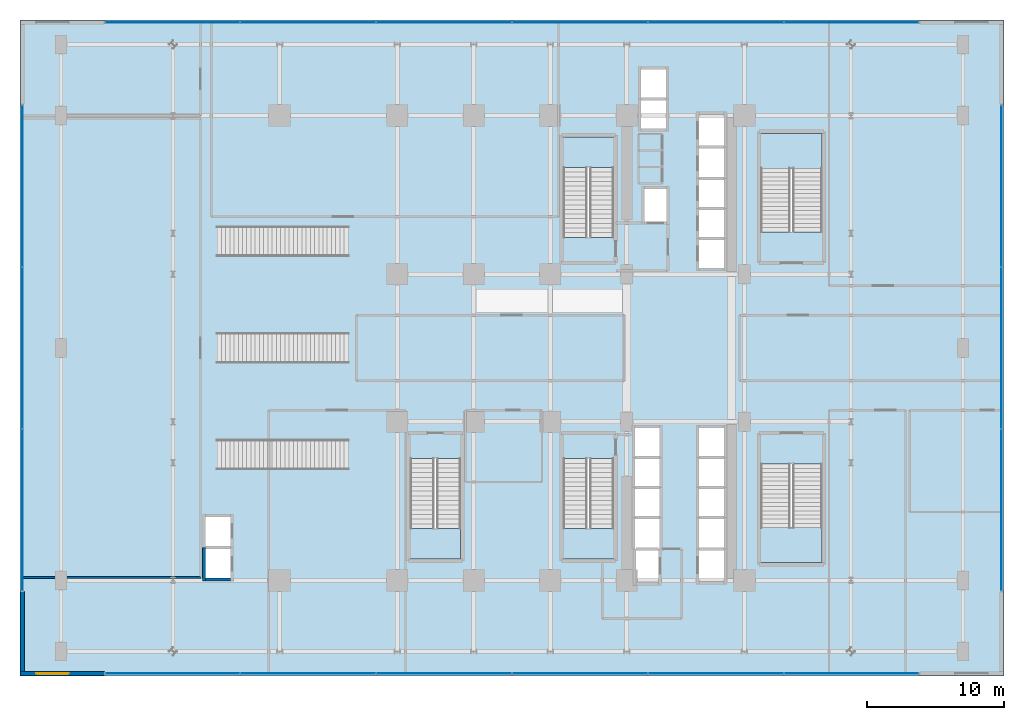
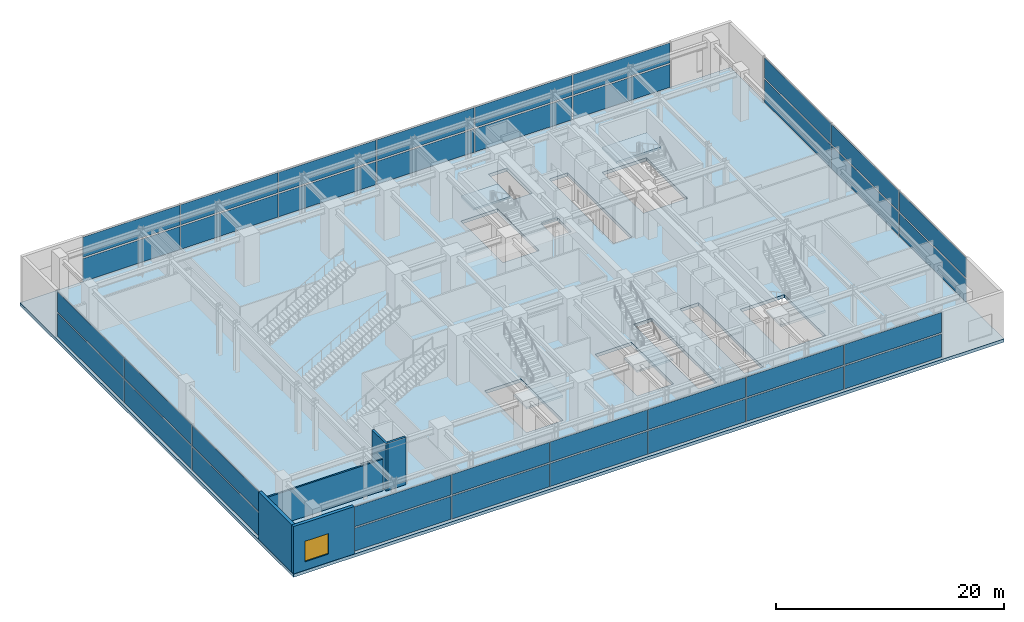
# One storey, part 26 of 34: 36 plates, 6 slabs, 5 walls, 1 window, 1 opening, 9 elements without a shape of their own.
"""IFC4 building model written with IfcOpenShell, lengths in metres."""

from ifc_helpers import new_model, si_unit, direction, frame, frame_2d, origin, origin_2d, place, context, subcontext, project, spatial, polyline, rectangle, outline, extrude, source, transform, mapped, material, layer, layer_set, type_object, element, fill, aggregate, save


model = new_model("IFC4")

# Units and contexts
model_context = context("Model", 3, precision=1e-05, world=origin(), true_north=direction((0.0, 1.0)))
body_context = subcontext(model_context, "Body", "Model", "MODEL_VIEW")
ifc_project = project(units=[si_unit("LENGTHUNIT", "METRE"), si_unit("AREAUNIT", "SQUARE_METRE"), si_unit("VOLUMEUNIT", "CUBIC_METRE"), si_unit("PLANEANGLEUNIT", "RADIAN"), si_unit("MASSUNIT", "GRAM", prefix="KILO")], contexts=[model_context])

# Site, building, storey
site_placement = place(None, origin())
site = spatial("IfcSite", under=ifc_project, at=site_placement, CompositionType="ELEMENT")
building_placement = place(site_placement, origin())
building = spatial("IfcBuilding", under=site, at=building_placement, Name="Nahalor Promenade Grand Hotel", CompositionType="ELEMENT")
storey_placement = place(building_placement, frame((0.0, 0.0, 16.199951171875)))
storey = spatial("IfcBuildingStorey", under=building, at=storey_placement, Name="L03", CompositionType="ELEMENT", Elevation=16.199951171875)

# Stair, slab
ifc_material_1 = material(Name="Concrete B-50 (C40/50)", Category="concrete")
stair_type_1 = type_object("IfcStairType", Name="Stair-ST1", PredefinedType="HALF_TURN_STAIR", material=ifc_material_1)
stair_1_placement = place(storey_placement, origin())
stair_1 = element("IfcStair", 1, at=stair_1_placement, inside=storey, type_object=stair_type_1, Name="L03 ST1", PredefinedType="HALF_TURN_STAIR")
ifc_layer_1 = layer(ifc_material_1, 0.199951171875)
ifc_layer_set_1 = layer_set([ifc_layer_1], Name="Concrete B-50 (C40/50)")
slab_type_1 = type_object("IfcSlabType", Name="Landing-ST1", PredefinedType="LANDING", material=ifc_layer_set_1)
slab_1_placement = place(storey_placement, frame((0.0, 0.0, 2.5)))
slab_1 = element("IfcSlab", 2, at=slab_1_placement, type_object=slab_type_1, Name="ST1 landing 1", PredefinedType="LANDING", context=body_context, shape_type="SweptSolid", body=[
    extrude(outline(polyline([(7.449951171875, 13.199951171875), (7.449951171875, 15.449951171875), (3.75, 15.449951171875), (3.75, 13.199951171875), (7.449951171875, 13.199951171875)])), origin(), (0.0, 0.0, 1.0), 0.199951171875),
])
aggregate(stair_1, [slab_1])

stair_type_2 = type_object("IfcStairType", Name="Stair-ST2", PredefinedType="HALF_TURN_STAIR", material=ifc_material_1)
stair_2_placement = place(storey_placement, origin())
stair_2 = element("IfcStair", 3, at=stair_2_placement, inside=storey, type_object=stair_type_2, Name="L03 ST2", PredefinedType="HALF_TURN_STAIR")
ifc_layer_2 = layer(ifc_material_1, 0.2099609375)
ifc_layer_set_2 = layer_set([ifc_layer_2], Name="Concrete B-50 (C40/50)")
slab_type_2 = type_object("IfcSlabType", Name="Landing-ST2", PredefinedType="LANDING", material=ifc_layer_set_2)
slab_2_placement = place(storey_placement, frame((0.0, 0.0, 2.489990234375)))
slab_2 = element("IfcSlab", 4, at=slab_2_placement, type_object=slab_type_2, Name="ST2 landing 1", PredefinedType="LANDING", context=body_context, shape_type="SweptSolid", body=[
    extrude(outline(polyline([(3.75, -13.199951171875), (3.75, -15.449951171875), (7.449951171875, -15.449951171875), (7.449951171875, -13.199951171875), (3.75, -13.199951171875)])), origin(), (0.0, 0.0, 1.0), 0.2099609375),
])
aggregate(stair_2, [slab_2])

stair_type_3 = type_object("IfcStairType", Name="Stair-ST3", PredefinedType="HALF_TURN_STAIR", material=ifc_material_1)
stair_3_placement = place(storey_placement, origin())
stair_3 = element("IfcStair", 5, at=stair_3_placement, inside=storey, type_object=stair_type_3, Name="L03 ST3", PredefinedType="HALF_TURN_STAIR")
ifc_layer_3 = layer(ifc_material_1, 0.219970703125)
ifc_layer_set_3 = layer_set([ifc_layer_3], Name="Concrete B-50 (C40/50)")
slab_type_3 = type_object("IfcSlabType", Name="Landing-ST3", PredefinedType="LANDING", material=ifc_layer_set_3)
slab_3_placement = place(storey_placement, frame((0.0, 0.0, 2.47998046875)))
slab_3 = element("IfcSlab", 6, at=slab_3_placement, type_object=slab_type_3, Name="ST3 landing 1", PredefinedType="LANDING", context=body_context, shape_type="SweptSolid", body=[
    extrude(outline(polyline([(-7.449951171875, -13.199951171875), (-7.449951171875, -15.449951171875), (-3.75, -15.449951171875), (-3.75, -13.199951171875), (-7.449951171875, -13.199951171875)])), origin(), (0.0, 0.0, 1.0), 0.219970703125),
])
aggregate(stair_3, [slab_3])

stair_type_4 = type_object("IfcStairType", Name="Stair-ST4", PredefinedType="HALF_TURN_STAIR", material=ifc_material_1)
stair_4_placement = place(storey_placement, origin())
stair_4 = element("IfcStair", 7, at=stair_4_placement, inside=storey, type_object=stair_type_4, Name="L03 ST4", PredefinedType="HALF_TURN_STAIR")
ifc_layer_4 = layer(ifc_material_1, 0.239990234375)
ifc_layer_set_4 = layer_set([ifc_layer_4], Name="Concrete B-50 (C40/50)")
slab_type_4 = type_object("IfcSlabType", Name="Landing-ST4", PredefinedType="LANDING", material=ifc_layer_set_4)
slab_4_placement = place(storey_placement, frame((0.0, 0.0, 2.4599609375)))
slab_4 = element("IfcSlab", 8, at=slab_4_placement, type_object=slab_type_4, Name="ST4 landing 1", PredefinedType="LANDING", context=body_context, shape_type="SweptSolid", body=[
    extrude(outline(polyline([(22.699951171875, 13.14990234375), (22.699951171875, 15.699951171875), (18.199951171875, 15.699951171875), (18.199951171875, 13.14990234375), (22.699951171875, 13.14990234375)])), origin(), (0.0, 0.0, 1.0), 0.239990234375),
])
aggregate(stair_4, [slab_4])

stair_type_5 = type_object("IfcStairType", Name="Stair-ST5", PredefinedType="HALF_TURN_STAIR", material=ifc_material_1)
stair_5_placement = place(storey_placement, origin())
stair_5 = element("IfcStair", 9, at=stair_5_placement, inside=storey, type_object=stair_type_5, Name="L03 ST5", PredefinedType="HALF_TURN_STAIR")
ifc_layer_5 = layer(ifc_material_1, 0.25)
ifc_layer_set_5 = layer_set([ifc_layer_5], Name="Concrete B-50 (C40/50)")
slab_type_5 = type_object("IfcSlabType", Name="Landing-ST5", PredefinedType="LANDING", material=ifc_layer_set_5)
slab_5_placement = place(storey_placement, frame((0.0, 0.0, 2.449951171875)))
slab_5 = element("IfcSlab", 10, at=slab_5_placement, type_object=slab_type_5, Name="ST5 landing 1", PredefinedType="LANDING", context=body_context, shape_type="SweptSolid", body=[
    extrude(outline(polyline([(18.199951171875, -13.14990234375), (18.199951171875, -15.699951171875), (22.699951171875, -15.699951171875), (22.699951171875, -13.14990234375), (18.199951171875, -13.14990234375)])), origin(), (0.0, 0.0, 1.0), 0.25),
])
aggregate(stair_5, [slab_5])

# Slab
ifc_layer_6 = layer(ifc_material_1, 0.340087890625)
ifc_layer_set_6 = layer_set([ifc_layer_6], Name="Concrete B-50 (C40/50)")
slab_type_6 = type_object("IfcSlabType", Name="Slab-Ballroom-340", PredefinedType="FLOOR", material=ifc_layer_set_6)
slab_6_placement = place(storey_placement, frame((0.0, 0.0, -0.33984375)))
element("IfcSlab", 11, at=slab_6_placement, inside=storey, type_object=slab_type_6, Name="L03 Suspended Structural Floor Slab", PredefinedType="FLOOR", context=body_context, shape_type="SweptSolid", body=[
    extrude(outline(polyline([(-36.0, -24.0), (36.0, -24.0), (36.0, 24.0), (-36.0, 24.0), (-36.0, -24.0)]), holes=[polyline([(3.75, 8.10009765625), (7.449951171875, 8.10009765625), (7.449951171875, 15.449951171875), (3.75, 15.449951171875), (3.75, 8.10009765625)]), polyline([(3.75, -15.449951171875), (7.449951171875, -15.449951171875), (7.449951171875, -8.10009765625), (3.75, -8.10009765625), (3.75, -15.449951171875)]), polyline([(-7.449951171875, -15.449951171875), (-3.75, -15.449951171875), (-3.75, -8.10009765625), (-7.449951171875, -8.10009765625), (-7.449951171875, -15.449951171875)]), polyline([(18.199951171875, 8.5), (22.699951171875, 8.5), (22.699951171875, 15.699951171875), (18.199951171875, 15.699951171875), (18.199951171875, 8.5)]), polyline([(18.199951171875, -15.699951171875), (22.699951171875, -15.699951171875), (22.699951171875, -8.5), (18.199951171875, -8.5), (18.199951171875, -15.699951171875)]), polyline([(13.659912109375, 5.81005859375), (15.5400390625, 5.81005859375), (15.5400390625, 17.139892578125), (13.659912109375, 17.139892578125), (13.659912109375, 5.81005859375)]), polyline([(13.659912109375, -17.139892578125), (15.5400390625, -17.139892578125), (15.5400390625, -5.81005859375), (13.659912109375, -5.81005859375), (13.659912109375, -17.139892578125)]), polyline([(8.9599609375, -17.18994140625), (10.840087890625, -17.18994140625), (10.840087890625, -5.81005859375), (8.9599609375, -5.81005859375), (8.9599609375, -17.18994140625)]), polyline([(9.409912109375, 16.010009765625), (11.2900390625, 16.010009765625), (11.2900390625, 20.43994140625), (9.409912109375, 20.43994140625), (9.409912109375, 16.010009765625)]), polyline([(9.659912109375, 9.2099609375), (11.340087890625, 9.2099609375), (11.340087890625, 11.68994140625), (9.659912109375, 11.68994140625), (9.659912109375, 9.2099609375)]), polyline([(-22.43994140625, -16.889892578125), (-20.56005859375, -16.889892578125), (-20.56005859375, -14.7099609375), (-22.43994140625, -14.7099609375), (-22.43994140625, -16.889892578125)]), polyline([(-22.43994140625, -14.489990234375), (-20.56005859375, -14.489990234375), (-20.56005859375, -12.31005859375), (-22.43994140625, -12.31005859375), (-22.43994140625, -14.489990234375)])]), origin(), (0.0, 0.0, 1.0), 0.33984375),
])

# Curtain wall, plates
ifc_material_2 = material(Name="Anodised Bronze Aluminium EN AW-6063 T6", Category="aluminium")
curtain_wall_type = type_object("IfcCurtainWallType", Name="CW1 Waterfront Podium Bronze Arcade Curtain Wall", PredefinedType="USERDEFINED", material=ifc_material_2)
curtain_wall_1_placement = place(storey_placement, origin())
curtain_wall_1 = element("IfcCurtainWall", 12, at=curtain_wall_1_placement, inside=storey, type_object=curtain_wall_type, Name="L03 Curtain Wall CW-L03-W", ObjectType="UNITISED_CURTAIN_WALL", PredefinedType="USERDEFINED")
ifc_material_3 = material(Name="Low-E Laminated Solar Glass", Category="glass")
ifc_layer_7 = layer(ifc_material_3, 0.031982421875)
ifc_layer_set_7 = layer_set([ifc_layer_7], Name="Low-E Laminated Solar Glass")
plate_type = type_object("IfcPlateType", Name="CWP1 Podium Solar Acoustic IGU 32mm", PredefinedType="CURTAIN_PANEL", material=ifc_layer_set_7)
shared_shape_1 = source(origin(), body_context, "Body", "SweptSolid", [
    extrude(rectangle(XDim=11.760009765625, YDim=0.031982421875, at=origin_2d()), origin(), (0.0, 0.0, 1.0), 2.4599609375),
])
plate_1_placement = place(storey_placement, frame((-35.820068359375, -11.860107421875, 0.16015625), z_axis=(0.0, 0.0, 1.0), x_axis=(0.0, 1.0, 0.0)))
plate_1 = element("IfcPlate", 13, at=plate_1_placement, type_object=plate_type, Name="CW-L03-W Glazing Panel 0-0", PredefinedType="CURTAIN_PANEL", context=body_context, shape_type="MappedRepresentation", body=[
    mapped(shared_shape_1, transform((0.0, 0.0, 0.0), scale=1.0)),
])
plate_2_placement = place(storey_placement, frame((-35.820068359375, 11.860107421875, 0.16015625), z_axis=(0.0, 0.0, 1.0), x_axis=(0.0, 1.0, 0.0)))
plate_2 = element("IfcPlate", 14, at=plate_2_placement, type_object=plate_type, Name="CW-L03-W Glazing Panel 2-0", PredefinedType="CURTAIN_PANEL", context=body_context, shape_type="MappedRepresentation", body=[
    mapped(shared_shape_1, transform((0.0, 0.0, 0.0), scale=1.0)),
])

curtain_wall_2_placement = place(storey_placement, origin())
curtain_wall_2 = element("IfcCurtainWall", 15, at=curtain_wall_2_placement, inside=storey, type_object=curtain_wall_type, Name="L03 Curtain Wall CW-L03-E", ObjectType="UNITISED_CURTAIN_WALL", PredefinedType="USERDEFINED")
plate_3_placement = place(storey_placement, frame((35.820068359375, -11.860107421875, 0.16015625), z_axis=(0.0, 0.0, 1.0), x_axis=(0.0, 1.0, 0.0)))
plate_3 = element("IfcPlate", 16, at=plate_3_placement, type_object=plate_type, Name="CW-L03-E Glazing Panel 0-0", PredefinedType="CURTAIN_PANEL", context=body_context, shape_type="MappedRepresentation", body=[
    mapped(shared_shape_1, transform((0.0, 0.0, 0.0), scale=1.0)),
])
plate_4_placement = place(storey_placement, frame((35.820068359375, 11.860107421875, 0.16015625), z_axis=(0.0, 0.0, 1.0), x_axis=(0.0, 1.0, 0.0)))
plate_4 = element("IfcPlate", 17, at=plate_4_placement, type_object=plate_type, Name="CW-L03-E Glazing Panel 2-0", PredefinedType="CURTAIN_PANEL", context=body_context, shape_type="MappedRepresentation", body=[
    mapped(shared_shape_1, transform((0.0, 0.0, 0.0), scale=1.0)),
])

# Plate
shared_shape_2 = source(origin(), body_context, "Body", "SweptSolid", [
    extrude(rectangle(XDim=11.760009765625, YDim=0.031982421875, at=origin_2d()), origin(), (0.0, 0.0, 1.0), 2.139892578125),
])
plate_5_placement = place(storey_placement, frame((-35.820068359375, -11.860107421875, 2.7802734375), z_axis=(0.0, 0.0, 1.0), x_axis=(0.0, 1.0, 0.0)))
plate_5 = element("IfcPlate", 18, at=plate_5_placement, type_object=plate_type, Name="CW-L03-W Glazing Panel 0-1", PredefinedType="CURTAIN_PANEL", context=body_context, shape_type="MappedRepresentation", body=[
    mapped(shared_shape_2, transform((0.0, 0.0, 0.0), scale=1.0)),
])

plate_6_placement = place(storey_placement, frame((-35.820068359375, 11.860107421875, 2.7802734375), z_axis=(0.0, 0.0, 1.0), x_axis=(0.0, 1.0, 0.0)))
plate_6 = element("IfcPlate", 19, at=plate_6_placement, type_object=plate_type, Name="CW-L03-W Glazing Panel 2-1", PredefinedType="CURTAIN_PANEL", context=body_context, shape_type="MappedRepresentation", body=[
    mapped(shared_shape_2, transform((0.0, 0.0, 0.0), scale=1.0)),
])

plate_7_placement = place(storey_placement, frame((35.820068359375, -11.860107421875, 2.7802734375), z_axis=(0.0, 0.0, 1.0), x_axis=(0.0, 1.0, 0.0)))
plate_7 = element("IfcPlate", 20, at=plate_7_placement, type_object=plate_type, Name="CW-L03-E Glazing Panel 0-1", PredefinedType="CURTAIN_PANEL", context=body_context, shape_type="MappedRepresentation", body=[
    mapped(shared_shape_2, transform((0.0, 0.0, 0.0), scale=1.0)),
])

plate_8_placement = place(storey_placement, frame((35.820068359375, 11.860107421875, 2.7802734375), z_axis=(0.0, 0.0, 1.0), x_axis=(0.0, 1.0, 0.0)))
plate_8 = element("IfcPlate", 21, at=plate_8_placement, type_object=plate_type, Name="CW-L03-E Glazing Panel 2-1", PredefinedType="CURTAIN_PANEL", context=body_context, shape_type="MappedRepresentation", body=[
    mapped(shared_shape_2, transform((0.0, 0.0, 0.0), scale=1.0)),
])

shared_shape_3 = source(origin(), body_context, "Body", "SweptSolid", [
    extrude(rectangle(XDim=11.800048828125, YDim=0.031982421875, at=origin_2d()), origin(), (0.0, 0.0, 1.0), 2.4599609375),
])
plate_9_placement = place(storey_placement, frame((-35.820068359375, 0.0, 0.16015625), z_axis=(0.0, 0.0, 1.0), x_axis=(0.0, 1.0, 0.0)))
plate_9 = element("IfcPlate", 22, at=plate_9_placement, type_object=plate_type, Name="CW-L03-W Glazing Panel 1-0", PredefinedType="CURTAIN_PANEL", context=body_context, shape_type="MappedRepresentation", body=[
    mapped(shared_shape_3, transform((0.0, 0.0, 0.0), scale=1.0)),
])

plate_10_placement = place(storey_placement, frame((35.820068359375, 0.0, 0.16015625), z_axis=(0.0, 0.0, 1.0), x_axis=(0.0, 1.0, 0.0)))
plate_10 = element("IfcPlate", 23, at=plate_10_placement, type_object=plate_type, Name="CW-L03-E Glazing Panel 1-0", PredefinedType="CURTAIN_PANEL", context=body_context, shape_type="MappedRepresentation", body=[
    mapped(shared_shape_3, transform((0.0, 0.0, 0.0), scale=1.0)),
])

shared_shape_4 = source(origin(), body_context, "Body", "SweptSolid", [
    extrude(rectangle(XDim=11.800048828125, YDim=0.031982421875, at=origin_2d()), origin(), (0.0, 0.0, 1.0), 2.139892578125),
])
plate_11_placement = place(storey_placement, frame((-35.820068359375, 0.0, 2.7802734375), z_axis=(0.0, 0.0, 1.0), x_axis=(0.0, 1.0, 0.0)))
plate_11 = element("IfcPlate", 24, at=plate_11_placement, type_object=plate_type, Name="CW-L03-W Glazing Panel 1-1", PredefinedType="CURTAIN_PANEL", context=body_context, shape_type="MappedRepresentation", body=[
    mapped(shared_shape_4, transform((0.0, 0.0, 0.0), scale=1.0)),
])

aggregate(curtain_wall_1, [plate_1, plate_5, plate_9, plate_11, plate_2, plate_6])

plate_12_placement = place(storey_placement, frame((35.820068359375, 0.0, 2.7802734375), z_axis=(0.0, 0.0, 1.0), x_axis=(0.0, 1.0, 0.0)))
plate_12 = element("IfcPlate", 25, at=plate_12_placement, type_object=plate_type, Name="CW-L03-E Glazing Panel 1-1", PredefinedType="CURTAIN_PANEL", context=body_context, shape_type="MappedRepresentation", body=[
    mapped(shared_shape_4, transform((0.0, 0.0, 0.0), scale=1.0)),
])

aggregate(curtain_wall_2, [plate_3, plate_7, plate_10, plate_12, plate_4, plate_8])

# Curtain wall, plates
curtain_wall_3_placement = place(storey_placement, origin())
curtain_wall_3 = element("IfcCurtainWall", 26, at=curtain_wall_3_placement, inside=storey, type_object=curtain_wall_type, Name="L03 Curtain Wall CW-L03-S", ObjectType="UNITISED_CURTAIN_WALL", PredefinedType="USERDEFINED")
shared_shape_5 = source(origin(), body_context, "Body", "SweptSolid", [
    extrude(rectangle(XDim=9.820068359375, YDim=0.031982421875, at=origin_2d()), origin(), (0.0, 0.0, 1.0), 2.4599609375),
])
plate_13_placement = place(storey_placement, frame((-24.830078125, -23.820068359375, 0.16015625), z_axis=(0.0, 0.0, 1.0), x_axis=(1.0, 0.0, 0.0)))
plate_13 = element("IfcPlate", 27, at=plate_13_placement, type_object=plate_type, Name="CW-L03-S Glazing Panel 0-0", PredefinedType="CURTAIN_PANEL", context=body_context, shape_type="MappedRepresentation", body=[
    mapped(shared_shape_5, transform((0.0, 0.0, 0.0), scale=1.0)),
])
plate_14_placement = place(storey_placement, frame((24.830078125, -23.820068359375, 0.16015625), z_axis=(0.0, 0.0, 1.0), x_axis=(1.0, 0.0, 0.0)))
plate_14 = element("IfcPlate", 28, at=plate_14_placement, type_object=plate_type, Name="CW-L03-S Glazing Panel 5-0", PredefinedType="CURTAIN_PANEL", context=body_context, shape_type="MappedRepresentation", body=[
    mapped(shared_shape_5, transform((0.0, 0.0, 0.0), scale=1.0)),
])

curtain_wall_4_placement = place(storey_placement, origin())
curtain_wall_4 = element("IfcCurtainWall", 29, at=curtain_wall_4_placement, inside=storey, type_object=curtain_wall_type, Name="L03 Curtain Wall CW-L03-N", ObjectType="UNITISED_CURTAIN_WALL", PredefinedType="USERDEFINED")
plate_15_placement = place(storey_placement, frame((-24.830078125, 23.820068359375, 0.16015625), z_axis=(0.0, 0.0, 1.0), x_axis=(1.0, 0.0, 0.0)))
plate_15 = element("IfcPlate", 30, at=plate_15_placement, type_object=plate_type, Name="CW-L03-N Glazing Panel 0-0", PredefinedType="CURTAIN_PANEL", context=body_context, shape_type="MappedRepresentation", body=[
    mapped(shared_shape_5, transform((0.0, 0.0, 0.0), scale=1.0)),
])
plate_16_placement = place(storey_placement, frame((24.830078125, 23.820068359375, 0.16015625), z_axis=(0.0, 0.0, 1.0), x_axis=(1.0, 0.0, 0.0)))
plate_16 = element("IfcPlate", 31, at=plate_16_placement, type_object=plate_type, Name="CW-L03-N Glazing Panel 5-0", PredefinedType="CURTAIN_PANEL", context=body_context, shape_type="MappedRepresentation", body=[
    mapped(shared_shape_5, transform((0.0, 0.0, 0.0), scale=1.0)),
])

# Plate
shared_shape_6 = source(origin(), body_context, "Body", "SweptSolid", [
    extrude(rectangle(XDim=9.820068359375, YDim=0.031982421875, at=origin_2d()), origin(), (0.0, 0.0, 1.0), 2.139892578125),
])
plate_17_placement = place(storey_placement, frame((-24.830078125, -23.820068359375, 2.7802734375), z_axis=(0.0, 0.0, 1.0), x_axis=(1.0, 0.0, 0.0)))
plate_17 = element("IfcPlate", 32, at=plate_17_placement, type_object=plate_type, Name="CW-L03-S Glazing Panel 0-1", PredefinedType="CURTAIN_PANEL", context=body_context, shape_type="MappedRepresentation", body=[
    mapped(shared_shape_6, transform((0.0, 0.0, 0.0), scale=1.0)),
])

plate_18_placement = place(storey_placement, frame((24.830078125, -23.820068359375, 2.7802734375), z_axis=(0.0, 0.0, 1.0), x_axis=(1.0, 0.0, 0.0)))
plate_18 = element("IfcPlate", 33, at=plate_18_placement, type_object=plate_type, Name="CW-L03-S Glazing Panel 5-1", PredefinedType="CURTAIN_PANEL", context=body_context, shape_type="MappedRepresentation", body=[
    mapped(shared_shape_6, transform((0.0, 0.0, 0.0), scale=1.0)),
])

plate_19_placement = place(storey_placement, frame((-24.830078125, 23.820068359375, 2.7802734375), z_axis=(0.0, 0.0, 1.0), x_axis=(1.0, 0.0, 0.0)))
plate_19 = element("IfcPlate", 34, at=plate_19_placement, type_object=plate_type, Name="CW-L03-N Glazing Panel 0-1", PredefinedType="CURTAIN_PANEL", context=body_context, shape_type="MappedRepresentation", body=[
    mapped(shared_shape_6, transform((0.0, 0.0, 0.0), scale=1.0)),
])

plate_20_placement = place(storey_placement, frame((24.830078125, 23.820068359375, 2.7802734375), z_axis=(0.0, 0.0, 1.0), x_axis=(1.0, 0.0, 0.0)))
plate_20 = element("IfcPlate", 35, at=plate_20_placement, type_object=plate_type, Name="CW-L03-N Glazing Panel 5-1", PredefinedType="CURTAIN_PANEL", context=body_context, shape_type="MappedRepresentation", body=[
    mapped(shared_shape_6, transform((0.0, 0.0, 0.0), scale=1.0)),
])

shared_shape_7 = source(origin(), body_context, "Body", "SweptSolid", [
    extrude(rectangle(XDim=9.860107421875, YDim=0.031982421875, at=origin_2d()), origin(), (0.0, 0.0, 1.0), 2.4599609375),
])
plate_21_placement = place(storey_placement, frame((-14.909912109375, -23.820068359375, 0.16015625), z_axis=(0.0, 0.0, 1.0), x_axis=(1.0, 0.0, 0.0)))
plate_21 = element("IfcPlate", 36, at=plate_21_placement, type_object=plate_type, Name="CW-L03-S Glazing Panel 1-0", PredefinedType="CURTAIN_PANEL", context=body_context, shape_type="MappedRepresentation", body=[
    mapped(shared_shape_7, transform((0.0, 0.0, 0.0), scale=1.0)),
])

plate_22_placement = place(storey_placement, frame((-4.969970703125, -23.820068359375, 0.16015625), z_axis=(0.0, 0.0, 1.0), x_axis=(1.0, 0.0, 0.0)))
plate_22 = element("IfcPlate", 37, at=plate_22_placement, type_object=plate_type, Name="CW-L03-S Glazing Panel 2-0", PredefinedType="CURTAIN_PANEL", context=body_context, shape_type="MappedRepresentation", body=[
    mapped(shared_shape_7, transform((0.0, 0.0, 0.0), scale=1.0)),
])

plate_23_placement = place(storey_placement, frame((4.969970703125, -23.820068359375, 0.16015625), z_axis=(0.0, 0.0, 1.0), x_axis=(1.0, 0.0, 0.0)))
plate_23 = element("IfcPlate", 38, at=plate_23_placement, type_object=plate_type, Name="CW-L03-S Glazing Panel 3-0", PredefinedType="CURTAIN_PANEL", context=body_context, shape_type="MappedRepresentation", body=[
    mapped(shared_shape_7, transform((0.0, 0.0, 0.0), scale=1.0)),
])

plate_24_placement = place(storey_placement, frame((14.909912109375, -23.820068359375, 0.16015625), z_axis=(0.0, 0.0, 1.0), x_axis=(1.0, 0.0, 0.0)))
plate_24 = element("IfcPlate", 39, at=plate_24_placement, type_object=plate_type, Name="CW-L03-S Glazing Panel 4-0", PredefinedType="CURTAIN_PANEL", context=body_context, shape_type="MappedRepresentation", body=[
    mapped(shared_shape_7, transform((0.0, 0.0, 0.0), scale=1.0)),
])

plate_25_placement = place(storey_placement, frame((-14.909912109375, 23.820068359375, 0.16015625), z_axis=(0.0, 0.0, 1.0), x_axis=(1.0, 0.0, 0.0)))
plate_25 = element("IfcPlate", 40, at=plate_25_placement, type_object=plate_type, Name="CW-L03-N Glazing Panel 1-0", PredefinedType="CURTAIN_PANEL", context=body_context, shape_type="MappedRepresentation", body=[
    mapped(shared_shape_7, transform((0.0, 0.0, 0.0), scale=1.0)),
])

plate_26_placement = place(storey_placement, frame((-4.969970703125, 23.820068359375, 0.16015625), z_axis=(0.0, 0.0, 1.0), x_axis=(1.0, 0.0, 0.0)))
plate_26 = element("IfcPlate", 41, at=plate_26_placement, type_object=plate_type, Name="CW-L03-N Glazing Panel 2-0", PredefinedType="CURTAIN_PANEL", context=body_context, shape_type="MappedRepresentation", body=[
    mapped(shared_shape_7, transform((0.0, 0.0, 0.0), scale=1.0)),
])

plate_27_placement = place(storey_placement, frame((4.969970703125, 23.820068359375, 0.16015625), z_axis=(0.0, 0.0, 1.0), x_axis=(1.0, 0.0, 0.0)))
plate_27 = element("IfcPlate", 42, at=plate_27_placement, type_object=plate_type, Name="CW-L03-N Glazing Panel 3-0", PredefinedType="CURTAIN_PANEL", context=body_context, shape_type="MappedRepresentation", body=[
    mapped(shared_shape_7, transform((0.0, 0.0, 0.0), scale=1.0)),
])

plate_28_placement = place(storey_placement, frame((14.909912109375, 23.820068359375, 0.16015625), z_axis=(0.0, 0.0, 1.0), x_axis=(1.0, 0.0, 0.0)))
plate_28 = element("IfcPlate", 43, at=plate_28_placement, type_object=plate_type, Name="CW-L03-N Glazing Panel 4-0", PredefinedType="CURTAIN_PANEL", context=body_context, shape_type="MappedRepresentation", body=[
    mapped(shared_shape_7, transform((0.0, 0.0, 0.0), scale=1.0)),
])

shared_shape_8 = source(origin(), body_context, "Body", "SweptSolid", [
    extrude(rectangle(XDim=9.860107421875, YDim=0.031982421875, at=origin_2d()), origin(), (0.0, 0.0, 1.0), 2.139892578125),
])
plate_29_placement = place(storey_placement, frame((-14.909912109375, -23.820068359375, 2.7802734375), z_axis=(0.0, 0.0, 1.0), x_axis=(1.0, 0.0, 0.0)))
plate_29 = element("IfcPlate", 44, at=plate_29_placement, type_object=plate_type, Name="CW-L03-S Glazing Panel 1-1", PredefinedType="CURTAIN_PANEL", context=body_context, shape_type="MappedRepresentation", body=[
    mapped(shared_shape_8, transform((0.0, 0.0, 0.0), scale=1.0)),
])

plate_30_placement = place(storey_placement, frame((-4.969970703125, -23.820068359375, 2.7802734375), z_axis=(0.0, 0.0, 1.0), x_axis=(1.0, 0.0, 0.0)))
plate_30 = element("IfcPlate", 45, at=plate_30_placement, type_object=plate_type, Name="CW-L03-S Glazing Panel 2-1", PredefinedType="CURTAIN_PANEL", context=body_context, shape_type="MappedRepresentation", body=[
    mapped(shared_shape_8, transform((0.0, 0.0, 0.0), scale=1.0)),
])

plate_31_placement = place(storey_placement, frame((4.969970703125, -23.820068359375, 2.7802734375), z_axis=(0.0, 0.0, 1.0), x_axis=(1.0, 0.0, 0.0)))
plate_31 = element("IfcPlate", 46, at=plate_31_placement, type_object=plate_type, Name="CW-L03-S Glazing Panel 3-1", PredefinedType="CURTAIN_PANEL", context=body_context, shape_type="MappedRepresentation", body=[
    mapped(shared_shape_8, transform((0.0, 0.0, 0.0), scale=1.0)),
])

plate_32_placement = place(storey_placement, frame((14.909912109375, -23.820068359375, 2.7802734375), z_axis=(0.0, 0.0, 1.0), x_axis=(1.0, 0.0, 0.0)))
plate_32 = element("IfcPlate", 47, at=plate_32_placement, type_object=plate_type, Name="CW-L03-S Glazing Panel 4-1", PredefinedType="CURTAIN_PANEL", context=body_context, shape_type="MappedRepresentation", body=[
    mapped(shared_shape_8, transform((0.0, 0.0, 0.0), scale=1.0)),
])

aggregate(curtain_wall_3, [plate_13, plate_17, plate_21, plate_29, plate_22, plate_30, plate_23, plate_31, plate_24, plate_32, plate_14, plate_18])

plate_33_placement = place(storey_placement, frame((-14.909912109375, 23.820068359375, 2.7802734375), z_axis=(0.0, 0.0, 1.0), x_axis=(1.0, 0.0, 0.0)))
plate_33 = element("IfcPlate", 48, at=plate_33_placement, type_object=plate_type, Name="CW-L03-N Glazing Panel 1-1", PredefinedType="CURTAIN_PANEL", context=body_context, shape_type="MappedRepresentation", body=[
    mapped(shared_shape_8, transform((0.0, 0.0, 0.0), scale=1.0)),
])

plate_34_placement = place(storey_placement, frame((-4.969970703125, 23.820068359375, 2.7802734375), z_axis=(0.0, 0.0, 1.0), x_axis=(1.0, 0.0, 0.0)))
plate_34 = element("IfcPlate", 49, at=plate_34_placement, type_object=plate_type, Name="CW-L03-N Glazing Panel 2-1", PredefinedType="CURTAIN_PANEL", context=body_context, shape_type="MappedRepresentation", body=[
    mapped(shared_shape_8, transform((0.0, 0.0, 0.0), scale=1.0)),
])

plate_35_placement = place(storey_placement, frame((4.969970703125, 23.820068359375, 2.7802734375), z_axis=(0.0, 0.0, 1.0), x_axis=(1.0, 0.0, 0.0)))
plate_35 = element("IfcPlate", 50, at=plate_35_placement, type_object=plate_type, Name="CW-L03-N Glazing Panel 3-1", PredefinedType="CURTAIN_PANEL", context=body_context, shape_type="MappedRepresentation", body=[
    mapped(shared_shape_8, transform((0.0, 0.0, 0.0), scale=1.0)),
])

plate_36_placement = place(storey_placement, frame((14.909912109375, 23.820068359375, 2.7802734375), z_axis=(0.0, 0.0, 1.0), x_axis=(1.0, 0.0, 0.0)))
plate_36 = element("IfcPlate", 51, at=plate_36_placement, type_object=plate_type, Name="CW-L03-N Glazing Panel 4-1", PredefinedType="CURTAIN_PANEL", context=body_context, shape_type="MappedRepresentation", body=[
    mapped(shared_shape_8, transform((0.0, 0.0, 0.0), scale=1.0)),
])

aggregate(curtain_wall_4, [plate_15, plate_19, plate_25, plate_33, plate_26, plate_34, plate_27, plate_35, plate_28, plate_36, plate_16, plate_20])

# Walls
ifc_layer_8 = layer(ifc_material_1, 0.219970703125)
ifc_layer_set_8 = layer_set([ifc_layer_8], Name="Concrete B-50 (C40/50)")
wall_type_1 = type_object("IfcWallType", Name="Wall-LiftShaft-220", PredefinedType="SHEAR", material=ifc_layer_set_8)
shared_shape_9 = source(origin(), body_context, "Body", "SweptSolid", [
    extrude(rectangle(XDim=2.4599609375, YDim=0.219970703125, at=frame_2d((1.22998046875, 0.0))), origin(), (0.0, 0.0, 1.0), 5.080078125),
])
wall_1_placement = place(storey_placement, frame((-22.52001953125, -17.06005859375, 0.0), z_axis=(0.0, 0.0, 1.0), x_axis=(0.0, 1.0, 0.0)))
element("IfcWall", 52, at=wall_1_placement, inside=storey, type_object=wall_type_1, Name="L03 Lift PD1 Hoistway Wall W", PredefinedType="SHEAR", context=body_context, shape_type="MappedRepresentation", body=[
    mapped(shared_shape_9, transform((0.0, 0.0, 0.0), scale=1.0)),
])
shared_shape_10 = source(origin(), body_context, "Body", "SweptSolid", [
    extrude(rectangle(XDim=1.81982421875, YDim=0.219970703125, at=frame_2d((0.909912109375, 0.0))), origin(), (0.0, 0.0, 1.0), 5.080078125),
])
wall_2_placement = place(storey_placement, frame((-22.409912109375, -16.949951171875, 0.0), z_axis=(0.0, 0.0, 1.0), x_axis=(1.0, 0.0, 0.0)))
element("IfcWall", 53, at=wall_2_placement, inside=storey, type_object=wall_type_1, Name="L03 Lift PD1 Hoistway Wall S", PredefinedType="SHEAR", context=body_context, shape_type="MappedRepresentation", body=[
    mapped(shared_shape_10, transform((0.0, 0.0, 0.0), scale=1.0)),
])

# Wall, opening, window
ifc_material_4 = material(Name="Concrete B-40 (C32/40)", Category="concrete")
ifc_layer_9 = layer(ifc_material_4, 0.320068359375)
ifc_layer_set_9 = layer_set([ifc_layer_9], Name="Concrete B-40 (C32/40)")
wall_type_2 = type_object("IfcWallType", Name="Wall-LimestonePier-320", PredefinedType="STANDARD", material=ifc_layer_set_9)
shared_shape_11 = source(origin(), body_context, "Body", "SweptSolid", [
    extrude(rectangle(XDim=6.159912109375, YDim=0.320068359375, at=frame_2d((3.080078125, 0.0))), origin(), (0.0, 0.0, 1.0), 5.080078125),
])
wall_3_placement = place(storey_placement, frame((-35.97998046875, -23.820068359375, 0.0), z_axis=(0.0, 0.0, 1.0), x_axis=(1.0, 0.0, 0.0)))
wall_3 = element("IfcWall", 54, at=wall_3_placement, inside=storey, type_object=wall_type_2, Name="W-L03-CRN-SW-X", PredefinedType="STANDARD", context=body_context, shape_type="MappedRepresentation", body=[
    mapped(shared_shape_11, transform((0.0, 0.0, 0.0), scale=1.0)),
])
opening_placement = place(wall_3_placement, frame((1.159912109375, 0.0, 0.89990234375)))
opening = element("IfcOpeningElement", 55, at=opening_placement, cuts=wall_3, Name="Opening WN-02", PredefinedType="OPENING", context=body_context, shape_type="SweptSolid", body=[
    extrude(rectangle(XDim=2.39990234375, YDim=2.199951171875, at=frame_2d((1.199951171875, 1.10009765625))), frame((0.0, 0.169921875, 0.0), z_axis=(0.0, -1.0, 0.0), x_axis=(1.0, 0.0, 0.0)), (0.0, 0.0, 1.0), 0.340087890625),
])
window_type = type_object("IfcWindowType", Name="Win-PodiumArch-2400x2200", PartitioningType="SINGLE_PANEL", PredefinedType="WINDOW", material=ifc_material_3)
shared_shape_12 = source(origin(), body_context, "Body", "SweptSolid", [
    extrude(rectangle(XDim=2.39990234375, YDim=2.199951171875, at=frame_2d((1.199951171875, 1.10009765625))), frame((0.0, 0.030029296875, 0.0), z_axis=(0.0, -1.0, 0.0), x_axis=(1.0, 0.0, 0.0)), (0.0, 0.0, 1.0), 0.06005859375),
])
window_placement = place(opening_placement, origin())
window = element("IfcWindow", 56, at=window_placement, inside=storey, type_object=window_type, Name="WN-L03-SW-X", OverallHeight=2.199951171875, OverallWidth=2.39990234375, PartitioningType="SINGLE_PANEL", PredefinedType="WINDOW", context=body_context, shape_type="MappedRepresentation", body=[
    mapped(shared_shape_12, transform((0.0, 0.0, 0.0), scale=1.0)),
])
fill(opening, window)

# Walls
shared_shape_13 = source(origin(), body_context, "Body", "SweptSolid", [
    extrude(rectangle(XDim=5.83984375, YDim=0.320068359375, at=frame_2d((2.919921875, 0.0))), origin(), (0.0, 0.0, 1.0), 5.080078125),
])
wall_4_placement = place(storey_placement, frame((-35.820068359375, -23.659912109375, 0.0), z_axis=(0.0, 0.0, 1.0), x_axis=(0.0, 1.0, 0.0)))
element("IfcWall", 57, at=wall_4_placement, inside=storey, type_object=wall_type_2, Name="W-L03-CRN-SW-Y", PredefinedType="STANDARD", context=body_context, shape_type="MappedRepresentation", body=[
    mapped(shared_shape_13, transform((0.0, 0.0, 0.0), scale=1.0)),
])
ifc_material_5 = material(Name="Acoustic Mineral Gypsum", Category="gypsum")
ifc_layer_10 = layer(ifc_material_5, 0.159912109375)
ifc_layer_set_10 = layer_set([ifc_layer_10], Name="Acoustic Mineral Gypsum")
wall_type_3 = type_object("IfcWallType", Name="Wall-PartCorridor-160", PredefinedType="PARTITIONING", material=ifc_layer_set_10)
shared_shape_14 = source(origin(), body_context, "Body", "SweptSolid", [
    extrude(rectangle(XDim=12.9599609375, YDim=0.159912109375, at=frame_2d((6.47998046875, 0.0))), origin(), (0.0, 0.0, 1.0), 3.400146484375),
])
wall_5_placement = place(storey_placement, frame((-35.760009765625, -16.800048828125, 0.0), z_axis=(0.0, 0.0, 1.0), x_axis=(1.0, 0.0, 0.0)))
element("IfcWall", 58, at=wall_5_placement, inside=storey, type_object=wall_type_3, Name="W-L03-PR01-S", PredefinedType="PARTITIONING", context=body_context, shape_type="MappedRepresentation", body=[
    mapped(shared_shape_14, transform((0.0, 0.0, 0.0), scale=1.0)),
])

save(model, "model.ifc")
